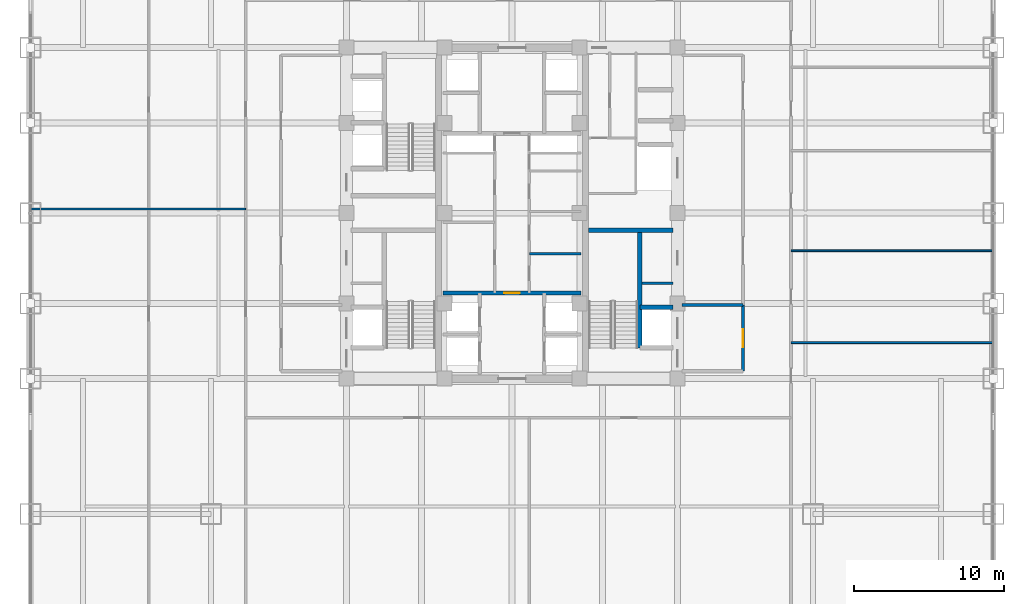
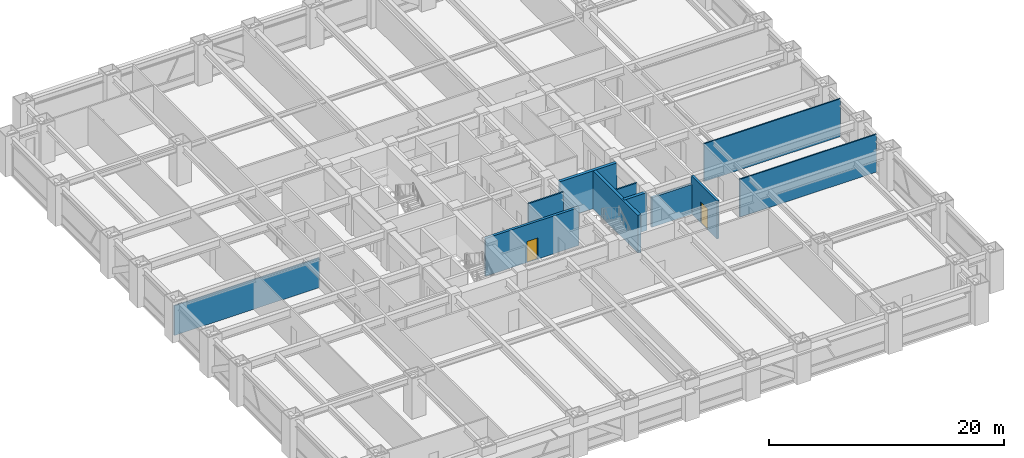
# One storey, part 24 of 32: 11 walls, 2 doors, 2 openings.
"""IFC4 building model written with IfcOpenShell, lengths in metres."""

from ifc_helpers import new_model, si_unit, direction, frame, frame_2d, origin, place, context, subcontext, project, spatial, rectangle, extrude, source, transform, mapped, material, layer, layer_set, type_object, element, fill, save


model = new_model("IFC4")

# Units and contexts
model_context = context("Model", 3, precision=1e-05, world=origin(), true_north=direction((0.0, 1.0)))
body_context = subcontext(model_context, "Body", "Model", "MODEL_VIEW")
ifc_project = project(units=[si_unit("LENGTHUNIT", "METRE"), si_unit("AREAUNIT", "SQUARE_METRE"), si_unit("VOLUMEUNIT", "CUBIC_METRE"), si_unit("PLANEANGLEUNIT", "RADIAN"), si_unit("MASSUNIT", "GRAM", prefix="KILO")], contexts=[model_context])

# Site, building, storey
site_placement = place(None, origin())
site = spatial("IfcSite", under=ifc_project, at=site_placement, CompositionType="ELEMENT")
building_placement = place(site_placement, origin())
building = spatial("IfcBuilding", under=site, at=building_placement, Name="Khorayat Bourse Tower", CompositionType="ELEMENT")
storey_placement = place(building_placement, frame((0.0, 0.0, 70.39990234375)))
storey = spatial("IfcBuildingStorey", under=building, at=storey_placement, Name="L15", CompositionType="ELEMENT", Elevation=70.39990234375)

# Walls
ifc_material_1 = material(Name="Concrete C50/60", Category="concrete")
ifc_layer_1 = layer(ifc_material_1, 0.300048828125)
ifc_layer_set_1 = layer_set([ifc_layer_1], Name="Concrete C50/60")
wall_type_1 = type_object("IfcWallType", Name="WAL-SHAFT-300", PredefinedType="SHEAR", material=ifc_layer_set_1)
shared_shape_1 = source(origin(), body_context, "Body", "SweptSolid", [
    extrude(rectangle(XDim=5.599853515625, YDim=0.300048828125, at=frame_2d((2.7998046875, 0.0))), origin(), (0.0, 0.0, 1.0), 3.940185546875),
])
wall_1_placement = place(storey_placement, frame((5.10009765625, -1.14990234375, 0.0), z_axis=(0.0, 0.0, 1.0), x_axis=(1.0, 0.0, 0.0)))
element("IfcWall", 1, at=wall_1_placement, inside=storey, type_object=wall_type_1, Name="L15 Core Shear Wall ST3-DIV", PredefinedType="SHEAR", context=body_context, shape_type="MappedRepresentation", body=[
    mapped(shared_shape_1, transform((0.0, 0.0, 0.0), scale=1.0)),
])
shared_shape_2 = source(origin(), body_context, "Body", "SweptSolid", [
    extrude(rectangle(XDim=7.800048828125, YDim=0.300048828125, at=frame_2d((3.89990234375, 0.0))), origin(), (0.0, 0.0, 1.0), 3.940185546875),
])
wall_2_placement = place(storey_placement, frame((8.5, -8.949951171875, 0.0), z_axis=(0.0, 0.0, 1.0), x_axis=(0.0, 1.0, 0.0)))
element("IfcWall", 2, at=wall_2_placement, inside=storey, type_object=wall_type_1, Name="L15 Partition WAL-L15-EPIER-SP", PredefinedType="SHEAR", context=body_context, shape_type="MappedRepresentation", body=[
    mapped(shared_shape_2, transform((0.0, 0.0, 0.0), scale=1.0)),
])
shared_shape_3 = source(origin(), body_context, "Body", "SweptSolid", [
    extrude(rectangle(XDim=2.199951171875, YDim=0.300048828125, at=frame_2d((1.10009765625, 0.0))), origin(), (0.0, 0.0, 1.0), 3.940185546875),
])
wall_3_placement = place(storey_placement, frame((8.5, -6.25, 0.0), z_axis=(0.0, 0.0, 1.0), x_axis=(1.0, 0.0, 0.0)))
element("IfcWall", 3, at=wall_3_placement, inside=storey, type_object=wall_type_1, Name="L15 Partition WAL-L15-EPIER-FF2N", PredefinedType="SHEAR", context=body_context, shape_type="MappedRepresentation", body=[
    mapped(shared_shape_3, transform((0.0, 0.0, 0.0), scale=1.0)),
])
ifc_material_2 = material(Name="Gypsum plasterboard twin-frame partition")
ifc_layer_2 = layer(ifc_material_2, 0.14990234375)
ifc_layer_set_2 = layer_set([ifc_layer_2], Name="Gypsum plasterboard twin-frame partition")
wall_type_2 = type_object("IfcWallType", Name="WAL-PART-SUITE-150", PredefinedType="PARTITIONING", material=ifc_layer_set_2)
shared_shape_4 = source(origin(), body_context, "Body", "SweptSolid", [
    extrude(rectangle(XDim=2.050048828125, YDim=0.14990234375, at=frame_2d((1.02490234375, 0.0))), origin(), (0.0, 0.0, 1.0), 3.940185546875),
])
wall_4_placement = place(storey_placement, frame((8.64990234375, -4.64990234375, 0.0), z_axis=(0.0, 0.0, 1.0), x_axis=(1.0, 0.0, 0.0)))
element("IfcWall", 4, at=wall_4_placement, inside=storey, type_object=wall_type_2, Name="L15 Partition WAL-L15-ESRV-S0", PredefinedType="PARTITIONING", context=body_context, shape_type="MappedRepresentation", body=[
    mapped(shared_shape_4, transform((0.0, 0.0, 0.0), scale=1.0)),
])
ifc_material_3 = material(Name="Aerated concrete blockwork", Category="masonry")
ifc_layer_3 = layer(ifc_material_3, 0.219970703125)
ifc_layer_set_3 = layer_set([ifc_layer_3], Name="Aerated concrete blockwork")
wall_type_3 = type_object("IfcWallType", Name="WAL-PART-FF-220", PredefinedType="PARTITIONING", material=ifc_layer_set_3)
shared_shape_5 = source(origin(), body_context, "Body", "SweptSolid", [
    extrude(rectangle(XDim=4.050048828125, YDim=0.219970703125, at=frame_2d((2.02490234375, 0.0))), origin(), (0.0, 0.0, 1.0), 3.085205078125),
])
wall_5_placement = place(storey_placement, frame((11.300048828125, -6.10009765625, 0.0), z_axis=(0.0, 0.0, 1.0), x_axis=(1.0, 0.0, 0.0)))
element("IfcWall", 5, at=wall_5_placement, inside=storey, type_object=wall_type_3, Name="L15 Partition WAL-L15-FFLE-N", PredefinedType="PARTITIONING", context=body_context, shape_type="MappedRepresentation", body=[
    mapped(shared_shape_5, transform((0.0, 0.0, 0.0), scale=1.0)),
])

# Wall, opening, door
shared_shape_6 = source(origin(), body_context, "Body", "SweptSolid", [
    extrude(rectangle(XDim=4.39990234375, YDim=0.219970703125, at=frame_2d((2.199951171875, 0.0))), origin(), (0.0, 0.0, 1.0), 3.940185546875),
])
wall_6_placement = place(storey_placement, frame((15.35009765625, -10.5, 0.0), z_axis=(0.0, 0.0, 1.0), x_axis=(0.0, 1.0, 0.0)))
wall_6 = element("IfcWall", 6, at=wall_6_placement, inside=storey, type_object=wall_type_3, Name="L15 Partition WAL-L15-FFLE-E", PredefinedType="PARTITIONING", context=body_context, shape_type="MappedRepresentation", body=[
    mapped(shared_shape_6, transform((0.0, 0.0, 0.0), scale=1.0)),
])
shared_shape_7 = source(origin(), body_context, "Body", "SweptSolid", [
    extrude(rectangle(XDim=1.199951171875, YDim=2.199951171875, at=frame_2d((0.60009765625, 1.10009765625))), frame((0.0, 0.119873046875, 0.0), z_axis=(0.0, -1.0, 0.0), x_axis=(1.0, 0.0, 0.0)), (0.0, 0.0, 1.0), 0.239990234375),
])
opening_1_placement = place(wall_6_placement, frame((1.60009765625, 0.0, 0.0)))
opening_1 = element("IfcOpeningElement", 7, at=opening_1_placement, cuts=wall_6, Name="Opening DI-02", PredefinedType="OPENING", context=body_context, shape_type="MappedRepresentation", body=[
    mapped(shared_shape_7, transform((0.0, 0.0, 0.0), scale=1.0)),
])
ifc_material_4 = material(Name="Fire-rated steel double-seal leaf", Category="steel")
door_type_1 = type_object("IfcDoorType", Name="DR-INT-FFLOBBY-1200", OperationType="NOTDEFINED", PredefinedType="DOOR", material=ifc_material_4)
shared_shape_8 = source(origin(), body_context, "Body", "SweptSolid", [
    extrude(rectangle(XDim=1.199951171875, YDim=2.199951171875, at=frame_2d((0.60009765625, 1.10009765625))), frame((0.0, 0.02490234375, 0.0), z_axis=(0.0, -1.0, 0.0), x_axis=(1.0, 0.0, 0.0)), (0.0, 0.0, 1.0), 0.050048828125),
])
door_1_placement = place(opening_1_placement, origin())
door_1 = element("IfcDoor", 8, at=door_1_placement, inside=storey, type_object=door_type_1, Name="L15 East Firefighting Lobby Door", OperationType="SINGLE_SWING_RIGHT", OverallHeight=2.199951171875, OverallWidth=1.199951171875, PredefinedType="DOOR", context=body_context, shape_type="MappedRepresentation", body=[
    mapped(shared_shape_8, transform((0.0, 0.0, 0.0), scale=1.0)),
])
fill(opening_1, door_1)

shared_shape_9 = source(origin(), body_context, "Body", "SweptSolid", [
    extrude(rectangle(XDim=9.2001953125, YDim=0.25, at=frame_2d((4.60009765625, 0.0))), origin(), (0.0, 0.0, 1.0), 3.940185546875),
])
wall_7_placement = place(storey_placement, frame((-4.60009765625, -5.300048828125, 0.0), z_axis=(0.0, 0.0, 1.0), x_axis=(1.0, 0.0, 0.0)))
wall_7 = element("IfcWall", 9, at=wall_7_placement, inside=storey, type_object=wall_type_1, Name="L15 Partition WAL-L15-B1-N", PredefinedType="SHEAR", context=body_context, shape_type="MappedRepresentation", body=[
    mapped(shared_shape_9, transform((0.0, 0.0, 0.0), scale=1.0)),
])
shared_shape_10 = source(origin(), body_context, "Body", "SweptSolid", [
    extrude(rectangle(XDim=1.050048828125, YDim=2.199951171875, at=frame_2d((0.52490234375, 1.10009765625))), frame((0.0, 0.135009765625, 0.0), z_axis=(0.0, -1.0, 0.0), x_axis=(1.0, 0.0, 0.0)), (0.0, 0.0, 1.0), 0.27001953125),
])
opening_2_placement = place(wall_7_placement, frame((4.074951171875, 0.0, 0.0)))
opening_2 = element("IfcOpeningElement", 10, at=opening_2_placement, cuts=wall_7, Name="Opening DI-04", PredefinedType="OPENING", context=body_context, shape_type="MappedRepresentation", body=[
    mapped(shared_shape_10, transform((0.0, 0.0, 0.0), scale=1.0)),
])
ifc_material_5 = material(Name="Fire-rated oak veneer suite entrance door")
door_type_2 = type_object("IfcDoorType", Name="DR-INT-SUITE-1050", OperationType="NOTDEFINED", PredefinedType="DOOR", material=ifc_material_5)
shared_shape_11 = source(origin(), body_context, "Body", "SweptSolid", [
    extrude(rectangle(XDim=1.050048828125, YDim=2.199951171875, at=frame_2d((0.52490234375, 1.10009765625))), frame((0.0, 0.02490234375, 0.0), z_axis=(0.0, -1.0, 0.0), x_axis=(1.0, 0.0, 0.0)), (0.0, 0.0, 1.0), 0.050048828125),
])
door_2_placement = place(opening_2_placement, origin())
door_2 = element("IfcDoor", 11, at=door_2_placement, inside=storey, type_object=door_type_2, Name="L15 Core Spine South Door", OperationType="SINGLE_SWING_LEFT", OverallHeight=2.199951171875, OverallWidth=1.050048828125, PredefinedType="DOOR", context=body_context, shape_type="MappedRepresentation", body=[
    mapped(shared_shape_11, transform((0.0, 0.0, 0.0), scale=1.0)),
])
fill(opening_2, door_2)

# Walls
ifc_material_6 = material(Name="Moisture-resistant masonry partition", Category="masonry")
ifc_layer_4 = layer(ifc_material_6, 0.139892578125)
ifc_layer_set_4 = layer_set([ifc_layer_4], Name="Moisture-resistant masonry partition")
wall_type_4 = type_object("IfcWallType", Name="WAL-PART-WET-140", PredefinedType="PARTITIONING", material=ifc_layer_set_4)
shared_shape_12 = source(origin(), body_context, "Body", "SweptSolid", [
    extrude(rectangle(XDim=3.4501953125, YDim=0.139892578125, at=frame_2d((1.72509765625, 0.0))), origin(), (0.0, 0.0, 1.0), 3.940185546875),
])
wall_8_placement = place(storey_placement, frame((1.14990234375, -2.699951171875, 0.0), z_axis=(0.0, 0.0, 1.0), x_axis=(1.0, 0.0, 0.0)))
element("IfcWall", 12, at=wall_8_placement, inside=storey, type_object=wall_type_4, Name="L15 Partition WAL-L15-CME-D1", PredefinedType="PARTITIONING", context=body_context, shape_type="MappedRepresentation", body=[
    mapped(shared_shape_12, transform((0.0, 0.0, 0.0), scale=1.0)),
])
ifc_material_7 = material(Name="Gypsum plasterboard partition")
ifc_layer_5 = layer(ifc_material_7, 0.125)
ifc_layer_set_5 = layer_set([ifc_layer_5], Name="Gypsum plasterboard partition")
wall_type_5 = type_object("IfcWallType", Name="WAL-PART-ROOM-125", PredefinedType="PARTITIONING", material=ifc_layer_set_5)
shared_shape_13 = source(origin(), body_context, "Body", "SweptSolid", [
    extrude(rectangle(XDim=13.449951171875, YDim=0.125, at=frame_2d((6.72509765625, 0.0))), origin(), (0.0, 0.0, 1.0), 3.940185546875),
])
for number, where, z_axis, x_axis, name in (
    (13, (18.550048828125, -8.60498046875, 0.0), (0.0, 0.0, 1.0), (1.0, 0.0, 0.0), "L15 Partition WAL-L15-EDV-1"),
    (14, (18.550048828125, -2.5, 0.0), (0.0, 0.0, 1.0), (1.0, 0.0, 0.0), "L15 Partition WAL-L15-EDV-2"),
):
    element("IfcWall", number, at=place(storey_placement, frame(where, z_axis=z_axis, x_axis=x_axis)), inside=storey, type_object=wall_type_5, Name=name, PredefinedType="PARTITIONING", context=body_context, shape_type="MappedRepresentation", body=[
        mapped(shared_shape_13, transform((0.0, 0.0, 0.0), scale=1.0)),
    ])
shared_shape_14 = source(origin(), body_context, "Body", "SweptSolid", [
    extrude(rectangle(XDim=14.300048828125, YDim=0.125, at=frame_2d((7.14990234375, 0.0))), origin(), (0.0, 0.0, 1.0), 3.085205078125),
])
wall_9_placement = place(storey_placement, frame((-32.0, 0.27490234375, 0.0), z_axis=(0.0, 0.0, 1.0), x_axis=(1.0, 0.0, 0.0)))
element("IfcWall", 15, at=wall_9_placement, inside=storey, type_object=wall_type_5, Name="L15 Partition WAL-L15-WDV-1", PredefinedType="PARTITIONING", context=body_context, shape_type="MappedRepresentation", body=[
    mapped(shared_shape_14, transform((0.0, 0.0, 0.0), scale=1.0)),
])

save(model, "model.ifc")
